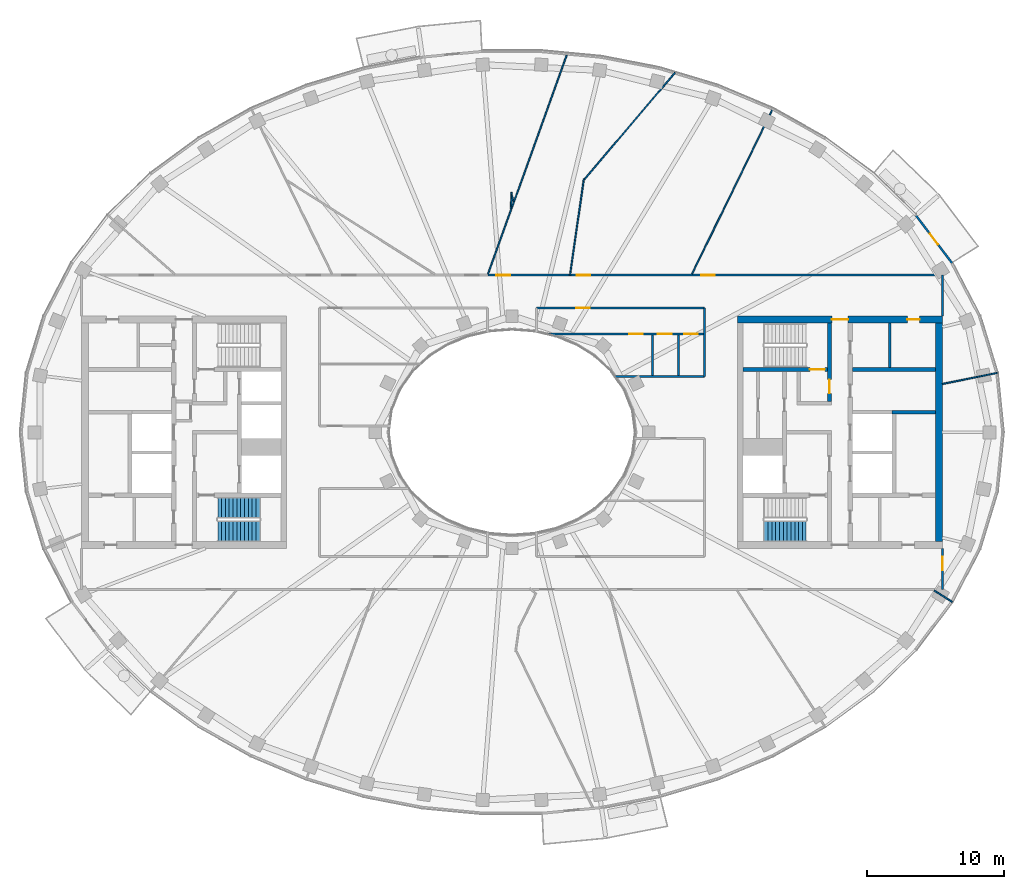
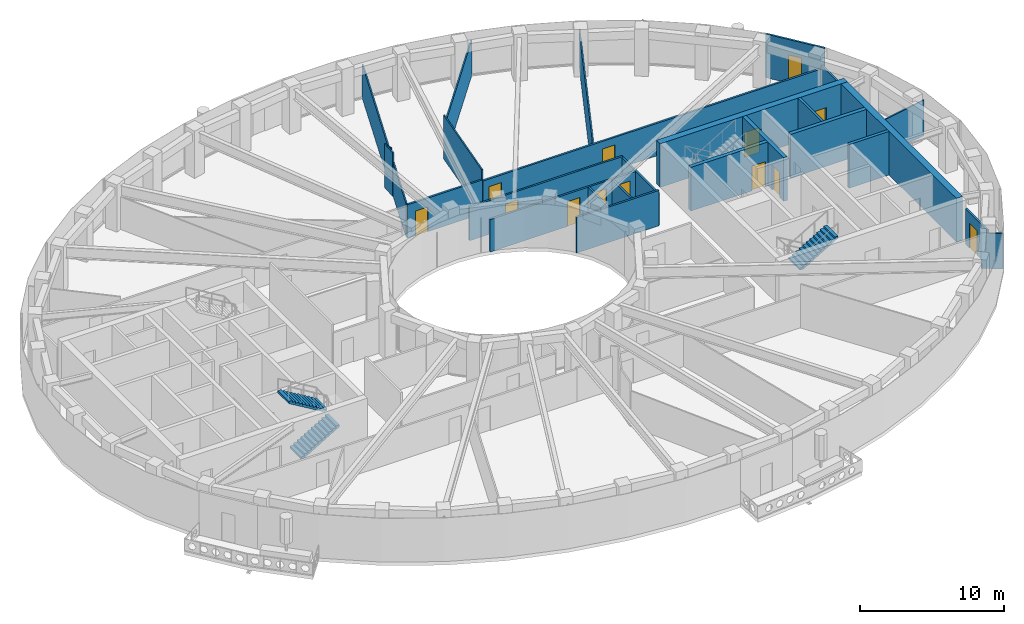
# One storey, part 6 of 16: 26 walls, 13 doors, 3 stair flights, 13 openings, 2 elements without a shape of their own.
"""IFC4 building model written with IfcOpenShell, lengths in metres."""

from ifc_helpers import new_model, si_unit, direction, frame, frame_2d, origin, place, context, subcontext, project, spatial, polyline, rectangle, outline, extrude, material, layer, layer_set, type_object, element, fill, aggregate, save


model = new_model("IFC4")

# Units and contexts
model_context = context("Model", 3, precision=1e-05, world=origin(), true_north=direction((0.0, 1.0)))
body_context = subcontext(model_context, "Body", "Model", "MODEL_VIEW")
ifc_project = project(units=[si_unit("LENGTHUNIT", "METRE"), si_unit("AREAUNIT", "SQUARE_METRE"), si_unit("VOLUMEUNIT", "CUBIC_METRE"), si_unit("PLANEANGLEUNIT", "RADIAN"), si_unit("MASSUNIT", "GRAM", prefix="KILO")], contexts=[model_context])

# Site, building, storey
site_placement = place(None, origin())
site = spatial("IfcSite", under=ifc_project, at=site_placement, CompositionType="ELEMENT")
building_placement = place(site_placement, origin())
building = spatial("IfcBuilding", under=site, at=building_placement, Name="Noorbagh Ring Tower", CompositionType="ELEMENT")
storey_placement = place(building_placement, frame((0.0, 0.0, 299.0)))
storey = spatial("IfcBuildingStorey", under=building, at=storey_placement, Name="L64", CompositionType="ELEMENT", Elevation=299.0)

# Walls
ifc_material_1 = material(Name="Gypsum board on steel studs", Category="steel")
ifc_layer_1 = layer(ifc_material_1, 0.199951171875)
ifc_layer_set_1 = layer_set([ifc_layer_1], Name="Gypsum board on steel studs")
wall_type_1 = type_object("IfcWallType", Name="CORE-PARTITION-200", PredefinedType="PARTITIONING", material=ifc_layer_set_1)
wall_1_placement = place(storey_placement, frame((27.64990234375, 4.75, 0.0), z_axis=(0.0, 0.0, 1.0), x_axis=(0.0, 1.0, 0.0)))
element("IfcWall", 1, at=wall_1_placement, inside=storey, type_object=wall_type_1, Name="Core partition E", PredefinedType="PARTITIONING", context=body_context, shape_type="SweptSolid", body=[
    extrude(rectangle(XDim=3.25, YDim=0.199951171875, at=frame_2d((1.625, 0.0))), origin(), (0.0, 0.0, 1.0), 3.699951171875),
])
ifc_material_2 = material(Name="Concrete C50/60", Category="concrete")
ifc_layer_2 = layer(ifc_material_2, 0.25)
ifc_layer_set_2 = layer_set([ifc_layer_2], Name="Concrete C50/60")
wall_type_2 = type_object("IfcWallType", Name="CORE-WALL-250-C50-60-EI120", PredefinedType="SHEAR", material=ifc_layer_set_2)
wall_2_placement = place(storey_placement, frame((27.800048828125, 1.47509765625, 0.0), z_axis=(0.0, 0.0, 1.0), x_axis=(1.0, 0.0, 0.0)))
element("IfcWall", 2, at=wall_2_placement, inside=storey, type_object=wall_type_2, Name="Core wall E", PredefinedType="SHEAR", context=body_context, shape_type="SweptSolid", body=[
    extrude(rectangle(XDim=3.199951171875, YDim=0.25, at=frame_2d((1.60009765625, 0.0))), origin(), (0.0, 0.0, 1.0), 3.699951171875),
])
ifc_material_3 = material(Name="Concrete C50/60", Category="concrete")
ifc_layer_3 = layer(ifc_material_3, 0.300048828125)
ifc_layer_set_3 = layer_set([ifc_layer_3], Name="Concrete C50/60")
wall_type_3 = type_object("IfcWallType", Name="CORE-WALL-300-C50-60-EI240", PredefinedType="SHEAR", material=ifc_layer_set_3)
wall_3_placement = place(storey_placement, frame((24.89990234375, 4.60009765625, 0.0), z_axis=(0.0, 0.0, 1.0), x_axis=(1.0, 0.0, 0.0)))
element("IfcWall", 3, at=wall_3_placement, inside=storey, type_object=wall_type_3, Name="Core wall E", PredefinedType="SHEAR", context=body_context, shape_type="SweptSolid", body=[
    extrude(rectangle(XDim=6.10009765625, YDim=0.300048828125, at=frame_2d((3.050048828125, 0.0))), origin(), (0.0, 0.0, 1.0), 3.699951171875),
])

# Wall, opening, door
wall_4_placement = place(storey_placement, frame((23.22998046875, 2.25, 0.0), z_axis=(0.0, 0.0, 1.0), x_axis=(0.0, 1.0, 0.0)))
wall_4 = element("IfcWall", 4, at=wall_4_placement, inside=storey, type_object=wall_type_3, Name="Core wall E", PredefinedType="SHEAR", context=body_context, shape_type="SweptSolid", body=[
    extrude(rectangle(XDim=5.75, YDim=0.300048828125, at=frame_2d((2.875, 0.0))), origin(), (0.0, 0.0, 1.0), 3.699951171875),
])
opening_1_placement = place(wall_4_placement, frame((0.60009765625, 0.0, 0.0)))
opening_1 = element("IfcOpeningElement", 5, at=opening_1_placement, cuts=wall_4, Name="Opening L64-CE07", PredefinedType="OPENING", context=body_context, shape_type="SweptSolid", body=[
    extrude(rectangle(XDim=1.0, YDim=2.10009765625, at=frame_2d((0.5, 1.050048828125))), frame((0.0, 0.16015625, 0.0), z_axis=(0.0, -1.0, 0.0), x_axis=(1.0, 0.0, 0.0)), (0.0, 0.0, 1.0), 0.320068359375),
])
ifc_material_4 = material(Name="Steel door leaf", Category="steel")
door_type_1 = type_object("IfcDoorType", Name="CORE-DOOR-DVEST", OperationType="SINGLE_SWING_LEFT", PredefinedType="DOOR", material=ifc_material_4)
door_1_placement = place(opening_1_placement, origin())
door_1 = element("IfcDoor", 6, at=door_1_placement, inside=storey, type_object=door_type_1, Name="Stair vestibule door L64-CE07", OperationType="SINGLE_SWING_RIGHT", OverallHeight=2.10009765625, OverallWidth=1.0, PredefinedType="DOOR", context=body_context, shape_type="SweptSolid", body=[
    extrude(rectangle(XDim=1.0, YDim=2.10009765625, at=frame_2d((0.5, 1.050048828125))), frame((0.0, 0.02490234375, 0.0), z_axis=(0.0, -1.0, 0.0), x_axis=(1.0, 0.0, 0.0)), (0.0, 0.0, 1.0), 0.050048828125),
])
fill(opening_1, door_1)

wall_5_placement = place(storey_placement, frame((16.89990234375, 4.60009765625, 0.0), z_axis=(0.0, 0.0, 1.0), x_axis=(1.0, 0.0, 0.0)))
wall_5 = element("IfcWall", 7, at=wall_5_placement, inside=storey, type_object=wall_type_3, Name="Core wall E", PredefinedType="SHEAR", context=body_context, shape_type="SweptSolid", body=[
    extrude(rectangle(XDim=6.18017578125, YDim=0.300048828125, at=frame_2d((3.090087890625, 0.0))), origin(), (0.0, 0.0, 1.0), 3.699951171875),
])
opening_2_placement = place(wall_5_placement, frame((4.89990234375, 0.0, 0.0)))
opening_2 = element("IfcOpeningElement", 8, at=opening_2_placement, cuts=wall_5, Name="Opening L64-CE04", PredefinedType="OPENING", context=body_context, shape_type="SweptSolid", body=[
    extrude(rectangle(XDim=1.10009765625, YDim=2.10009765625, at=frame_2d((0.550048828125, 1.050048828125))), frame((0.0, 0.16015625, 0.0), z_axis=(0.0, -1.0, 0.0), x_axis=(1.0, 0.0, 0.0)), (0.0, 0.0, 1.0), 0.320068359375),
])
ifc_material_5 = material(Name="Steel door leaf", Category="steel")
door_type_2 = type_object("IfcDoorType", Name="CORE-DOOR-DSTAIR", OperationType="SINGLE_SWING_LEFT", PredefinedType="DOOR", material=ifc_material_5)
door_2_placement = place(opening_2_placement, origin())
door_2 = element("IfcDoor", 9, at=door_2_placement, inside=storey, type_object=door_type_2, Name="Stair door ST3 L64-CE04", OperationType="SINGLE_SWING_LEFT", OverallHeight=2.10009765625, OverallWidth=1.10009765625, PredefinedType="DOOR", context=body_context, shape_type="SweptSolid", body=[
    extrude(rectangle(XDim=1.10009765625, YDim=2.10009765625, at=frame_2d((0.550048828125, 1.050048828125))), frame((0.0, 0.02490234375, 0.0), z_axis=(0.0, -1.0, 0.0), x_axis=(1.0, 0.0, 0.0)), (0.0, 0.0, 1.0), 0.050048828125),
])
fill(opening_2, door_2)

# Wall, openings, doors
ifc_material_6 = material(Name="Concrete C50/60", Category="concrete")
ifc_layer_4 = layer(ifc_material_6, 0.5)
ifc_layer_set_4 = layer_set([ifc_layer_4], Name="Concrete C50/60")
wall_type_4 = type_object("IfcWallType", Name="CORE-WALL-500-C50-60-EI240", PredefinedType="SHEAR", material=ifc_layer_set_4)
wall_6_placement = place(storey_placement, frame((16.5, 8.25, 0.0), z_axis=(0.0, 0.0, 1.0), x_axis=(1.0, 0.0, 0.0)))
wall_6 = element("IfcWall", 10, at=wall_6_placement, inside=storey, type_object=wall_type_4, Name="Core wall E", PredefinedType="SHEAR", context=body_context, shape_type="SweptSolid", body=[
    extrude(rectangle(XDim=15.0, YDim=0.5, at=frame_2d((7.5, 0.0))), origin(), (0.0, 0.0, 1.0), 3.699951171875),
])
opening_3_placement = place(wall_6_placement, frame((6.89990234375, 0.0, 0.0)))
opening_3 = element("IfcOpeningElement", 11, at=opening_3_placement, cuts=wall_6, Name="Opening L64-CE08", PredefinedType="OPENING", context=body_context, shape_type="SweptSolid", body=[
    extrude(rectangle(XDim=1.199951171875, YDim=2.10009765625, at=frame_2d((0.60009765625, 1.050048828125))), frame((0.0, 0.260009765625, 0.0), z_axis=(0.0, -1.0, 0.0), x_axis=(1.0, 0.0, 0.0)), (0.0, 0.0, 1.0), 0.52001953125),
])
opening_4_placement = place(wall_6_placement, frame((12.425048828125, 0.0, 0.0)))
opening_4 = element("IfcOpeningElement", 12, at=opening_4_placement, cuts=wall_6, Name="Opening L64-CE14", PredefinedType="OPENING", context=body_context, shape_type="SweptSolid", body=[
    extrude(rectangle(XDim=0.89990234375, YDim=2.10009765625, at=frame_2d((0.449951171875, 1.050048828125))), frame((0.0, 0.260009765625, 0.0), z_axis=(0.0, -1.0, 0.0), x_axis=(1.0, 0.0, 0.0)), (0.0, 0.0, 1.0), 0.52001953125),
])
ifc_material_7 = material(Name="Steel door leaf", Category="steel")
door_type_3 = type_object("IfcDoorType", Name="CORE-DOOR-DROOM", OperationType="SINGLE_SWING_LEFT", PredefinedType="DOOR", material=ifc_material_7)
door_3_placement = place(opening_4_placement, origin())
door_3 = element("IfcDoor", 13, at=door_3_placement, inside=storey, type_object=door_type_3, Name="Core room door L64-CE14", OperationType="SINGLE_SWING_LEFT", OverallHeight=2.10009765625, OverallWidth=0.89990234375, PredefinedType="DOOR", context=body_context, shape_type="SweptSolid", body=[
    extrude(rectangle(XDim=0.89990234375, YDim=2.10009765625, at=frame_2d((0.449951171875, 1.050048828125))), frame((0.0, 0.02490234375, 0.0), z_axis=(0.0, -1.0, 0.0), x_axis=(1.0, 0.0, 0.0)), (0.0, 0.0, 1.0), 0.050048828125),
])
fill(opening_4, door_3)
ifc_material_8 = material(Name="Steel door leaf", Category="steel")
door_type_4 = type_object("IfcDoorType", Name="CORE-DOOR-PORT", OperationType="DOUBLE_DOOR_DOUBLE_SWING", PredefinedType="DOOR", material=ifc_material_8)
door_4_placement = place(opening_3_placement, origin())
door_4 = element("IfcDoor", 14, at=door_4_placement, inside=storey, type_object=door_type_4, Name="Core entrance door L64-CE08", OperationType="DOUBLE_DOOR_DOUBLE_SWING", OverallHeight=2.10009765625, OverallWidth=1.199951171875, PredefinedType="DOOR", context=body_context, shape_type="SweptSolid", body=[
    extrude(rectangle(XDim=1.199951171875, YDim=2.10009765625, at=frame_2d((0.60009765625, 1.050048828125))), frame((0.0, 0.02490234375, 0.0), z_axis=(0.0, -1.0, 0.0), x_axis=(1.0, 0.0, 0.0)), (0.0, 0.0, 1.0), 0.050048828125),
])
fill(opening_3, door_4)

# Wall
wall_7_placement = place(storey_placement, frame((31.25, -8.0, 0.0), z_axis=(0.0, 0.0, 1.0), x_axis=(0.0, 1.0, 0.0)))
element("IfcWall", 15, at=wall_7_placement, inside=storey, type_object=wall_type_4, Name="Core wall E", PredefinedType="SHEAR", context=body_context, shape_type="SweptSolid", body=[
    extrude(rectangle(XDim=16.0, YDim=0.5, at=frame_2d((8.0, 0.0))), origin(), (0.0, 0.0, 1.0), 3.699951171875),
])

# Wall, opening, door
ifc_material_9 = material(Name="Gypsum board on steel studs", Category="steel")
ifc_layer_5 = layer(ifc_material_9, 0.14990234375)
ifc_layer_set_5 = layer_set([ifc_layer_5], Name="Gypsum board on steel studs")
wall_type_5 = type_object("IfcWallType", Name="CORRIDOR PARTITION 150 EI 30", PredefinedType="PARTITIONING", material=ifc_layer_set_5)
wall_8_placement = place(storey_placement, frame((-1.77392578125, 11.5, 0.0), z_axis=(0.0, 0.0, 1.0), x_axis=(1.0, 0.0, 0.0)))
wall_8 = element("IfcWall", 16, at=wall_8_placement, inside=storey, type_object=wall_type_5, Name="L64/wall/P22", PredefinedType="PARTITIONING", context=body_context, shape_type="SweptSolid", body=[
    extrude(rectangle(XDim=6.015869140625, YDim=0.14990234375, at=frame_2d((3.0078125, 0.0))), origin(), (0.0, 0.0, 1.0), 2.85009765625),
])
opening_5_placement = place(wall_8_placement, frame((0.635986328125, 0.0, 0.0)))
opening_5 = element("IfcOpeningElement", 17, at=opening_5_placement, cuts=wall_8, Name="Opening D1", PredefinedType="OPENING", context=body_context, shape_type="SweptSolid", body=[
    extrude(rectangle(XDim=1.0, YDim=2.10009765625, at=frame_2d((0.5, 1.050048828125))), frame((0.0, 0.0849609375, 0.0), z_axis=(0.0, -1.0, 0.0), x_axis=(1.0, 0.0, 0.0)), (0.0, 0.0, 1.0), 0.169921875),
])
ifc_material_10 = material(Name="Timber, painted", Category="wood")
door_type_5 = type_object("IfcDoorType", Name="DOOR 1000 X 2100 FD30", OperationType="SINGLE_SWING_LEFT", PredefinedType="DOOR", material=ifc_material_10)
door_5_placement = place(opening_5_placement, origin())
door_5 = element("IfcDoor", 18, at=door_5_placement, inside=storey, type_object=door_type_5, Name="L64-D12", OperationType="SINGLE_SWING_RIGHT", OverallHeight=2.10009765625, OverallWidth=1.0, PredefinedType="DOOR", context=body_context, shape_type="SweptSolid", body=[
    extrude(rectangle(XDim=1.0, YDim=2.10009765625, at=frame_2d((0.5, 1.050048828125))), frame((0.0, 0.02490234375, 0.0), z_axis=(0.0, -1.0, 0.0), x_axis=(1.0, 0.0, 0.0)), (0.0, 0.0, 1.0), 0.050048828125),
])
fill(opening_5, door_5)

wall_9_placement = place(storey_placement, frame((1.800048828125, 9.10009765625, 0.0), z_axis=(0.0, 0.0, 1.0), x_axis=(1.0, 0.0, 0.0)))
wall_9 = element("IfcWall", 19, at=wall_9_placement, inside=storey, type_object=wall_type_5, Name="L64/wall/P34", PredefinedType="PARTITIONING", context=body_context, shape_type="SweptSolid", body=[
    extrude(rectangle(XDim=12.300048828125, YDim=0.14990234375, at=frame_2d((6.14990234375, 0.0))), origin(), (0.0, 0.0, 1.0), 2.85009765625),
])
opening_6_placement = place(wall_9_placement, frame((2.89990234375, 0.0, 0.0)))
opening_6 = element("IfcOpeningElement", 20, at=opening_6_placement, cuts=wall_9, Name="Opening D1", PredefinedType="OPENING", context=body_context, shape_type="SweptSolid", body=[
    extrude(rectangle(XDim=1.0, YDim=2.10009765625, at=frame_2d((0.5, 1.050048828125))), frame((0.0, 0.0849609375, 0.0), z_axis=(0.0, -1.0, 0.0), x_axis=(1.0, 0.0, 0.0)), (0.0, 0.0, 1.0), 0.169921875),
])
door_6_placement = place(opening_6_placement, origin())
door_6 = element("IfcDoor", 21, at=door_6_placement, inside=storey, type_object=door_type_5, Name="L64-D01", OperationType="SINGLE_SWING_LEFT", OverallHeight=2.10009765625, OverallWidth=1.0, PredefinedType="DOOR", context=body_context, shape_type="SweptSolid", body=[
    extrude(rectangle(XDim=1.0, YDim=2.10009765625, at=frame_2d((0.5, 1.050048828125))), frame((0.0, 0.02490234375, 0.0), z_axis=(0.0, -1.0, 0.0), x_axis=(1.0, 0.0, 0.0)), (0.0, 0.0, 1.0), 0.050048828125),
])
fill(opening_6, door_6)

# Wall, openings, doors
wall_10_placement = place(storey_placement, frame((2.364013671875, 7.199951171875, 0.0), z_axis=(0.0, 0.0, 1.0), x_axis=(1.0, 0.0, 0.0)))
wall_10 = element("IfcWall", 22, at=wall_10_placement, inside=storey, type_object=wall_type_5, Name="L64/wall/P35", PredefinedType="PARTITIONING", context=body_context, shape_type="SweptSolid", body=[
    extrude(rectangle(XDim=11.660888671875, YDim=0.14990234375, at=frame_2d((5.83056640625, 0.0))), origin(), (0.0, 0.0, 1.0), 2.75),
])
opening_7_placement = place(wall_10_placement, frame((6.2041015625, 0.0, 0.0)))
opening_7 = element("IfcOpeningElement", 23, at=opening_7_placement, cuts=wall_10, Name="Opening D3", PredefinedType="OPENING", context=body_context, shape_type="SweptSolid", body=[
    extrude(rectangle(XDim=1.0, YDim=2.10009765625, at=frame_2d((0.5, 1.050048828125))), frame((0.0, 0.0849609375, 0.0), z_axis=(0.0, -1.0, 0.0), x_axis=(1.0, 0.0, 0.0)), (0.0, 0.0, 1.0), 0.169921875),
])
opening_8_placement = place(wall_10_placement, frame((8.30810546875, 0.0, 0.0)))
opening_8 = element("IfcOpeningElement", 24, at=opening_8_placement, cuts=wall_10, Name="Opening D3", PredefinedType="OPENING", context=body_context, shape_type="SweptSolid", body=[
    extrude(rectangle(XDim=1.0, YDim=2.10009765625, at=frame_2d((0.5, 1.050048828125))), frame((0.0, 0.0849609375, 0.0), z_axis=(0.0, -1.0, 0.0), x_axis=(1.0, 0.0, 0.0)), (0.0, 0.0, 1.0), 0.169921875),
])
opening_9_placement = place(wall_10_placement, frame((10.221923828125, 0.0, 0.0)))
opening_9 = element("IfcOpeningElement", 25, at=opening_9_placement, cuts=wall_10, Name="Opening D3", PredefinedType="OPENING", context=body_context, shape_type="SweptSolid", body=[
    extrude(rectangle(XDim=1.0, YDim=2.10009765625, at=frame_2d((0.5, 1.050048828125))), frame((0.0, 0.0849609375, 0.0), z_axis=(0.0, -1.0, 0.0), x_axis=(1.0, 0.0, 0.0)), (0.0, 0.0, 1.0), 0.169921875),
])
ifc_material_11 = material(Name="Timber, painted", Category="wood")
door_type_6 = type_object("IfcDoorType", Name="DOOR 1000 X 2100 WC", OperationType="SINGLE_SWING_LEFT", PredefinedType="DOOR", material=ifc_material_11)
door_7_placement = place(opening_7_placement, origin())
door_7 = element("IfcDoor", 26, at=door_7_placement, inside=storey, type_object=door_type_6, Name="L64-D02", OperationType="SINGLE_SWING_RIGHT", OverallHeight=2.10009765625, OverallWidth=1.0, PredefinedType="DOOR", context=body_context, shape_type="SweptSolid", body=[
    extrude(rectangle(XDim=1.0, YDim=2.10009765625, at=frame_2d((0.5, 1.050048828125))), frame((0.0, 0.02490234375, 0.0), z_axis=(0.0, -1.0, 0.0), x_axis=(1.0, 0.0, 0.0)), (0.0, 0.0, 1.0), 0.050048828125),
])
fill(opening_7, door_7)
door_8_placement = place(opening_8_placement, origin())
door_8 = element("IfcDoor", 27, at=door_8_placement, inside=storey, type_object=door_type_6, Name="L64-D03", OperationType="SINGLE_SWING_LEFT", OverallHeight=2.10009765625, OverallWidth=1.0, PredefinedType="DOOR", context=body_context, shape_type="SweptSolid", body=[
    extrude(rectangle(XDim=1.0, YDim=2.10009765625, at=frame_2d((0.5, 1.050048828125))), frame((0.0, 0.02490234375, 0.0), z_axis=(0.0, -1.0, 0.0), x_axis=(1.0, 0.0, 0.0)), (0.0, 0.0, 1.0), 0.050048828125),
])
fill(opening_8, door_8)
door_9_placement = place(opening_9_placement, origin())
door_9 = element("IfcDoor", 28, at=door_9_placement, inside=storey, type_object=door_type_6, Name="L64-D04", OperationType="SINGLE_SWING_RIGHT", OverallHeight=2.10009765625, OverallWidth=1.0, PredefinedType="DOOR", context=body_context, shape_type="SweptSolid", body=[
    extrude(rectangle(XDim=1.0, YDim=2.10009765625, at=frame_2d((0.5, 1.050048828125))), frame((0.0, 0.02490234375, 0.0), z_axis=(0.0, -1.0, 0.0), x_axis=(1.0, 0.0, 0.0)), (0.0, 0.0, 1.0), 0.050048828125),
])
fill(opening_9, door_9)

wall_11_placement = place(storey_placement, frame((4.261962890625, 11.5, 0.0), z_axis=(0.0, 0.0, 1.0), x_axis=(1.0, 0.0, 0.0)))
wall_11 = element("IfcWall", 29, at=wall_11_placement, inside=storey, type_object=wall_type_5, Name="L64/wall/P37", PredefinedType="PARTITIONING", context=body_context, shape_type="SweptSolid", body=[
    extrude(rectangle(XDim=27.238037109375, YDim=0.14990234375, at=frame_2d((13.619140625, 0.0))), origin(), (0.0, 0.0, 1.0), 2.75),
])
opening_10_placement = place(wall_11_placement, frame((0.47607421875, 0.0, 0.0)))
opening_10 = element("IfcOpeningElement", 30, at=opening_10_placement, cuts=wall_11, Name="Opening D1", PredefinedType="OPENING", context=body_context, shape_type="SweptSolid", body=[
    extrude(rectangle(XDim=1.0, YDim=2.10009765625, at=frame_2d((0.5, 1.050048828125))), frame((0.0, 0.0849609375, 0.0), z_axis=(0.0, -1.0, 0.0), x_axis=(1.0, 0.0, 0.0)), (0.0, 0.0, 1.0), 0.169921875),
])
opening_11_placement = place(wall_11_placement, frame((9.587890625, 0.0, 0.0)))
opening_11 = element("IfcOpeningElement", 31, at=opening_11_placement, cuts=wall_11, Name="Opening D1", PredefinedType="OPENING", context=body_context, shape_type="SweptSolid", body=[
    extrude(rectangle(XDim=1.0, YDim=2.10009765625, at=frame_2d((0.5, 1.050048828125))), frame((0.0, 0.0849609375, 0.0), z_axis=(0.0, -1.0, 0.0), x_axis=(1.0, 0.0, 0.0)), (0.0, 0.0, 1.0), 0.169921875),
])
door_10_placement = place(opening_10_placement, origin())
door_10 = element("IfcDoor", 32, at=door_10_placement, inside=storey, type_object=door_type_5, Name="L64-D14", OperationType="SINGLE_SWING_RIGHT", OverallHeight=2.10009765625, OverallWidth=1.0, PredefinedType="DOOR", context=body_context, shape_type="SweptSolid", body=[
    extrude(rectangle(XDim=1.0, YDim=2.10009765625, at=frame_2d((0.5, 1.050048828125))), frame((0.0, 0.02490234375, 0.0), z_axis=(0.0, -1.0, 0.0), x_axis=(1.0, 0.0, 0.0)), (0.0, 0.0, 1.0), 0.050048828125),
])
fill(opening_10, door_10)
door_11_placement = place(opening_11_placement, origin())
door_11 = element("IfcDoor", 33, at=door_11_placement, inside=storey, type_object=door_type_5, Name="L64-D16", OperationType="SINGLE_SWING_RIGHT", OverallHeight=2.10009765625, OverallWidth=1.0, PredefinedType="DOOR", context=body_context, shape_type="SweptSolid", body=[
    extrude(rectangle(XDim=1.0, YDim=2.10009765625, at=frame_2d((0.5, 1.050048828125))), frame((0.0, 0.02490234375, 0.0), z_axis=(0.0, -1.0, 0.0), x_axis=(1.0, 0.0, 0.0)), (0.0, 0.0, 1.0), 0.050048828125),
])
fill(opening_11, door_11)

# Walls
wall_12_placement = place(storey_placement, frame((7.4970703125, 4.094970703125, 0.0), z_axis=(0.0, 0.0, 1.0), x_axis=(1.0, 0.0, 0.0)))
element("IfcWall", 34, at=wall_12_placement, inside=storey, type_object=wall_type_5, Name="L64/wall/P42", PredefinedType="PARTITIONING", context=body_context, shape_type="SweptSolid", body=[
    extrude(rectangle(XDim=6.60302734375, YDim=0.14990234375, at=frame_2d((3.301513671875, 0.0))), origin(), (0.0, 0.0, 1.0), 3.0),
])
for number, where, z_axis, x_axis, name in (
    (35, (10.27197265625, 4.169921875, 0.0), (0.0, 0.0, 1.0), (0.0, 1.0, 0.0), "L64/wall/P44"),
    (36, (12.18603515625, 4.169921875, 0.0), (0.0, 0.0, 1.0), (0.0, 1.0, 0.0), "L64/wall/P45"),
):
    element("IfcWall", number, at=place(storey_placement, frame(where, z_axis=z_axis, x_axis=x_axis)), inside=storey, type_object=wall_type_5, Name=name, PredefinedType="PARTITIONING", context=body_context, shape_type="SweptSolid", body=[
        extrude(rectangle(XDim=2.955078125, YDim=0.14990234375, at=frame_2d((1.4775390625, 0.0))), origin(), (0.0, 0.0, 1.0), 2.75),
    ])
wall_13_placement = place(storey_placement, frame((14.10009765625, 4.094970703125, 0.0), z_axis=(0.0, 0.0, 1.0), x_axis=(0.0, 1.0, 0.0)))
element("IfcWall", 37, at=wall_13_placement, inside=storey, type_object=wall_type_5, Name="L64/wall/P48", PredefinedType="PARTITIONING", context=body_context, shape_type="SweptSolid", body=[
    extrude(rectangle(XDim=5.005126953125, YDim=0.14990234375, at=frame_2d((2.50244140625, 0.0))), origin(), (0.0, 0.0, 1.0), 2.75),
])

# Wall, opening, door
wall_14_placement = place(storey_placement, frame((31.5, -11.5, 0.0), z_axis=(0.0, 0.0, 1.0), x_axis=(0.0, 1.0, 0.0)))
wall_14 = element("IfcWall", 38, at=wall_14_placement, inside=storey, type_object=wall_type_5, Name="L64/wall/P51", PredefinedType="PARTITIONING", context=body_context, shape_type="SweptSolid", body=[
    extrude(rectangle(XDim=3.0, YDim=0.14990234375, at=frame_2d((1.5, 0.0))), origin(), (0.0, 0.0, 1.0), 3.0),
])
opening_12_placement = place(wall_14_placement, frame((1.39990234375, 0.0, 0.0)))
opening_12 = element("IfcOpeningElement", 39, at=opening_12_placement, cuts=wall_14, Name="Opening D1", PredefinedType="OPENING", context=body_context, shape_type="SweptSolid", body=[
    extrude(rectangle(XDim=1.0, YDim=2.10009765625, at=frame_2d((0.5, 1.050048828125))), frame((0.0, 0.0849609375, 0.0), z_axis=(0.0, -1.0, 0.0), x_axis=(1.0, 0.0, 0.0)), (0.0, 0.0, 1.0), 0.169921875),
])
door_12_placement = place(opening_12_placement, origin())
door_12 = element("IfcDoor", 40, at=door_12_placement, inside=storey, type_object=door_type_5, Name="L64-D18", OperationType="SINGLE_SWING_RIGHT", OverallHeight=2.10009765625, OverallWidth=1.0, PredefinedType="DOOR", context=body_context, shape_type="SweptSolid", body=[
    extrude(rectangle(XDim=1.0, YDim=2.10009765625, at=frame_2d((0.5, 1.050048828125))), frame((0.0, 0.02490234375, 0.0), z_axis=(0.0, -1.0, 0.0), x_axis=(1.0, 0.0, 0.0)), (0.0, 0.0, 1.0), 0.050048828125),
])
fill(opening_12, door_12)

# Wall
wall_15_placement = place(storey_placement, frame((31.5, 8.5, 0.0), z_axis=(0.0, 0.0, 1.0), x_axis=(0.0, 1.0, 0.0)))
element("IfcWall", 41, at=wall_15_placement, inside=storey, type_object=wall_type_5, Name="L64/wall/P53", PredefinedType="PARTITIONING", context=body_context, shape_type="SweptSolid", body=[
    extrude(rectangle(XDim=3.0, YDim=0.14990234375, at=frame_2d((1.5, 0.0))), origin(), (0.0, 0.0, 1.0), 3.0),
])

# Wall, opening, door
ifc_material_12 = material(Name="Insulated aluminium clad panel", Category="aluminium")
ifc_layer_6 = layer(ifc_material_12, 0.14990234375)
ifc_layer_set_6 = layer_set([ifc_layer_6], Name="Insulated aluminium clad panel")
wall_type_6 = type_object("IfcWallType", Name="ENV-WALL-DOOR", PredefinedType="STANDARD", material=ifc_layer_set_6)
wall_16_placement = place(storey_placement, frame((32.20751953125, 12.37353515625, 0.0), z_axis=(0.0, 0.0, 1.0), x_axis=(-0.604045763106, 0.796949632081, 0.0)))
wall_16 = element("IfcWall", 42, at=wall_16_placement, inside=storey, type_object=wall_type_6, Name="Balcony door wall chord 04", PredefinedType="STANDARD", context=body_context, shape_type="SweptSolid", body=[
    extrude(rectangle(XDim=4.42333984375, YDim=0.14990234375, at=frame_2d((2.211669921875, 0.0))), origin(), (0.0, 0.0, 1.0), 3.699951171875),
])
opening_13_placement = place(wall_16_placement, frame((1.711669921875, 0.0, 0.0)))
opening_13 = element("IfcOpeningElement", 43, at=opening_13_placement, cuts=wall_16, Name="Opening D-BL", PredefinedType="OPENING", context=body_context, shape_type="SweptSolid", body=[
    extrude(rectangle(XDim=1.0, YDim=2.39990234375, at=frame_2d((0.5, 1.199951171875))), frame((0.0, 0.0849609375, 0.0), z_axis=(0.0, -1.0, 0.0), x_axis=(1.0, 0.0, 0.0)), (0.0, 0.0, 1.0), 0.169921875),
])
ifc_material_13 = material(Name="Aluminium and glass", Category="aluminium")
door_type_7 = type_object("IfcDoorType", Name="ENV-DOOR-BALCONY", OperationType="SINGLE_SWING_LEFT", PredefinedType="DOOR", material=ifc_material_13)
door_13_placement = place(opening_13_placement, origin())
door_13 = element("IfcDoor", 44, at=door_13_placement, inside=storey, type_object=door_type_7, Name="Balcony door chord 04", OperationType="SINGLE_SWING_LEFT", OverallHeight=2.39990234375, OverallWidth=1.0, PredefinedType="DOOR", context=body_context, shape_type="SweptSolid", body=[
    extrude(rectangle(XDim=1.0, YDim=2.39990234375, at=frame_2d((0.5, 1.199951171875))), frame((0.0, 0.02490234375, 0.0), z_axis=(0.0, -1.0, 0.0), x_axis=(1.0, 0.0, 0.0)), (0.0, 0.0, 1.0), 0.050048828125),
])
fill(opening_13, door_13)

# Walls
ifc_material_14 = material(Name="Gypsum board on steel studs", Category="steel")
ifc_layer_7 = layer(ifc_material_14, 0.10009765625)
ifc_layer_set_7 = layer_set([ifc_layer_7], Name="Gypsum board on steel studs")
wall_type_7 = type_object("IfcWallType", Name="PARTITION 100 GYPSUM", PredefinedType="PARTITIONING", material=ifc_layer_set_7)
wall_17_placement = place(storey_placement, frame((-1.758056640625, 11.5791015625, 0.0), z_axis=(0.0, 0.0, 1.0), x_axis=(0.338425059236, 0.940993347097, 0.0)))
element("IfcWall", 45, at=wall_17_placement, inside=storey, type_object=wall_type_7, Name="L64/wall/P21", PredefinedType="PARTITIONING", context=body_context, shape_type="SweptSolid", body=[
    extrude(rectangle(XDim=17.14990234375, YDim=0.10009765625, at=frame_2d((8.574951171875, 0.0))), origin(), (0.0, 0.0, 1.0), 2.85009765625),
])
wall_18_placement = place(storey_placement, frame((-0.083984375, 16.35595703125, 0.0), z_axis=(0.0, 0.0, 1.0), x_axis=(0.047967320325, 0.998848905581, 0.0)))
element("IfcWall", 46, at=wall_18_placement, inside=storey, type_object=wall_type_7, Name="L64/wall/P24", PredefinedType="PARTITIONING", context=body_context, shape_type="SweptSolid", body=[
    extrude(rectangle(XDim=1.21142578125, YDim=0.10009765625, at=frame_2d((0.605712890625, 0.0))), origin(), (0.0, 0.0, 1.0), 3.699951171875),
])
wall_19_placement = place(storey_placement, frame((0.001953125, 17.283935546875, 0.0), z_axis=(0.0, 0.0, 1.0), x_axis=(0.240121592304, -0.970742819139, 0.0)))
element("IfcWall", 47, at=wall_19_placement, inside=storey, type_object=wall_type_7, Name="L64/wall/P25", PredefinedType="PARTITIONING", context=body_context, shape_type="SweptSolid", body=[
    extrude(rectangle(XDim=0.404541015625, YDim=0.10009765625, at=frame_2d((0.2021484375, 0.0))), origin(), (0.0, 0.0, 1.0), 3.699951171875),
])
wall_20_placement = place(storey_placement, frame((4.241943359375, 11.5, 0.0), z_axis=(0.0, 0.0, 1.0), x_axis=(0.1429940435, 0.98972354904, 0.0)))
element("IfcWall", 48, at=wall_20_placement, inside=storey, type_object=wall_type_7, Name="L64/wall/P36", PredefinedType="PARTITIONING", context=body_context, shape_type="SweptSolid", body=[
    extrude(rectangle(XDim=7.10595703125, YDim=0.10009765625, at=frame_2d((3.552978515625, 0.0))), origin(), (0.0, 0.0, 1.0), 3.699951171875),
])
wall_21_placement = place(storey_placement, frame((5.305908203125, 18.511962890625, 0.0), z_axis=(0.0, 0.0, 1.0), x_axis=(0.646500054355, 0.762913939917, 0.0)))
element("IfcWall", 49, at=wall_21_placement, inside=storey, type_object=wall_type_7, Name="L64/wall/P38", PredefinedType="PARTITIONING", context=body_context, shape_type="SweptSolid", body=[
    extrude(rectangle(XDim=10.238525390625, YDim=0.10009765625, at=frame_2d((5.119140625, 0.0))), origin(), (0.0, 0.0, 1.0), 3.0),
])
wall_22_placement = place(storey_placement, frame((13.1669921875, 11.5791015625, 0.0), z_axis=(0.0, 0.0, 1.0), x_axis=(0.439238726833, 0.898370380661, 0.0)))
element("IfcWall", 50, at=wall_22_placement, inside=storey, type_object=wall_type_7, Name="L64/wall/P46", PredefinedType="PARTITIONING", context=body_context, shape_type="SweptSolid", body=[
    extrude(rectangle(XDim=13.475341796875, YDim=0.10009765625, at=frame_2d((6.73779296875, 0.0))), origin(), (0.0, 0.0, 1.0), 3.0),
])
wall_23_placement = place(storey_placement, frame((30.89697265625, -11.574951171875, 0.0), z_axis=(0.0, 0.0, 1.0), x_axis=(0.844757626245, -0.535149094086, 0.0)))
element("IfcWall", 51, at=wall_23_placement, inside=storey, type_object=wall_type_7, Name="L64/wall/P50", PredefinedType="PARTITIONING", context=body_context, shape_type="SweptSolid", body=[
    extrude(rectangle(XDim=1.556640625, YDim=0.10009765625, at=frame_2d((0.7783203125, 0.0))), origin(), (0.0, 0.0, 1.0), 3.0),
])
wall_24_placement = place(storey_placement, frame((31.5, 3.5419921875, 0.0), z_axis=(0.0, 0.0, 1.0), x_axis=(0.980357474535, 0.197228857227, 0.0)))
element("IfcWall", 52, at=wall_24_placement, inside=storey, type_object=wall_type_7, Name="L64/wall/P52", PredefinedType="PARTITIONING", context=body_context, shape_type="SweptSolid", body=[
    extrude(rectangle(XDim=4.09228515625, YDim=0.10009765625, at=frame_2d((2.046142578125, 0.0))), origin(), (0.0, 0.0, 1.0), 3.0),
])

# Stair, stair flights
ifc_material_15 = material(Name="Concrete C40/50", Category="concrete")
stair_type = type_object("IfcStairType", Name="CORE-STAIR", PredefinedType="HALF_TURN_STAIR", material=ifc_material_15)
stair_1_placement = place(storey_placement, origin())
stair_1 = element("IfcStair", 53, at=stair_1_placement, inside=storey, type_object=stair_type, Name="L64 Exit stair ST2", PredefinedType="HALF_TURN_STAIR")
ifc_material_16 = material(Name="Concrete C40/50", Category="concrete")
stair_flight_type = type_object("IfcStairFlightType", Name="CORE-STAIR-FLIGHT", PredefinedType="STRAIGHT", material=ifc_material_16)
stair_flight_1_placement = place(storey_placement, frame((-21.530029296875, -7.22509765625, 0.0), z_axis=(0.0, 0.0, 1.0), x_axis=(1.0, 0.0, 0.0)))
stair_flight_1 = element("IfcStairFlight", 54, at=stair_flight_1_placement, type_object=stair_flight_type, Name="ST2 flight 1", NumberOfRisers=12, NumberOfTreads=11, PredefinedType="STRAIGHT", RiserHeight=0.166666667, TreadLength=0.28, context=body_context, shape_type="SweptSolid", body=[
    extrude(outline(polyline([(0.0, 0.0), (0.0, 0.166748046875), (0.280029296875, 0.166748046875), (0.280029296875, 0.333251953125), (0.56005859375, 0.333251953125), (0.56005859375, 0.5), (0.840087890625, 0.5), (0.840087890625, 0.666748046875), (1.1201171875, 0.666748046875), (1.1201171875, 0.833251953125), (1.39990234375, 0.833251953125), (1.39990234375, 1.0), (1.679931640625, 1.0), (1.679931640625, 1.166748046875), (1.9599609375, 1.166748046875), (1.9599609375, 1.333251953125), (2.239990234375, 1.333251953125), (2.239990234375, 1.5), (2.52001953125, 1.5), (2.52001953125, 1.666748046875), (2.800048828125, 1.666748046875), (2.800048828125, 1.833251953125), (3.080078125, 1.833251953125), (3.080078125, 2.0), (3.080078125, 1.658935546875), (0.29296875, 0.0), (0.0, 0.0)])), frame((0.0, 0.77490234375, 0.0), z_axis=(0.0, -1.0, 0.0), x_axis=(1.0, 0.0, 0.0)), (0.0, 0.0, 1.0), 1.550048828125),
])
stair_flight_2_placement = place(storey_placement, frame((-18.449951171875, -5.52490234375, 2.0), z_axis=(0.0, 0.0, 1.0), x_axis=(-1.0, 0.0, 0.0)))
stair_flight_2 = element("IfcStairFlight", 55, at=stair_flight_2_placement, type_object=stair_flight_type, Name="ST2 flight 2", NumberOfRisers=12, NumberOfTreads=11, PredefinedType="STRAIGHT", RiserHeight=0.166666667, TreadLength=0.28, context=body_context, shape_type="SweptSolid", body=[
    extrude(outline(polyline([(0.0, 0.0), (0.0, 0.166748046875), (0.280029296875, 0.166748046875), (0.280029296875, 0.333251953125), (0.56005859375, 0.333251953125), (0.56005859375, 0.5), (0.840087890625, 0.5), (0.840087890625, 0.666748046875), (1.1201171875, 0.666748046875), (1.1201171875, 0.833251953125), (1.39990234375, 0.833251953125), (1.39990234375, 1.0), (1.679931640625, 1.0), (1.679931640625, 1.166748046875), (1.9599609375, 1.166748046875), (1.9599609375, 1.333251953125), (2.239990234375, 1.333251953125), (2.239990234375, 1.5), (2.52001953125, 1.5), (2.52001953125, 1.666748046875), (2.800048828125, 1.666748046875), (2.800048828125, 1.833251953125), (3.080078125, 1.833251953125), (3.080078125, 2.0), (3.080078125, 1.658935546875), (0.29296875, 0.0), (0.0, 0.0)])), frame((0.0, 0.77490234375, 0.0), z_axis=(0.0, -1.0, 0.0), x_axis=(1.0, 0.0, 0.0)), (0.0, 0.0, 1.0), 1.550048828125),
])
aggregate(stair_1, [stair_flight_1, stair_flight_2])

# Stair, stair flight
stair_2_placement = place(storey_placement, origin())
stair_2 = element("IfcStair", 56, at=stair_2_placement, inside=storey, type_object=stair_type, Name="L64 Exit stair ST4", PredefinedType="HALF_TURN_STAIR")
stair_flight_3_placement = place(storey_placement, frame((18.449951171875, -7.22509765625, 2.0), z_axis=(0.0, 0.0, 1.0), x_axis=(1.0, 0.0, 0.0)))
stair_flight_3 = element("IfcStairFlight", 57, at=stair_flight_3_placement, type_object=stair_flight_type, Name="ST4 flight 2", NumberOfRisers=12, NumberOfTreads=11, PredefinedType="STRAIGHT", RiserHeight=0.166666667, TreadLength=0.28, context=body_context, shape_type="SweptSolid", body=[
    extrude(outline(polyline([(0.0, 0.0), (0.0, 0.166748046875), (0.280029296875, 0.166748046875), (0.280029296875, 0.333251953125), (0.56005859375, 0.333251953125), (0.56005859375, 0.5), (0.840087890625, 0.5), (0.840087890625, 0.666748046875), (1.1201171875, 0.666748046875), (1.1201171875, 0.833251953125), (1.39990234375, 0.833251953125), (1.39990234375, 1.0), (1.679931640625, 1.0), (1.679931640625, 1.166748046875), (1.9599609375, 1.166748046875), (1.9599609375, 1.333251953125), (2.239990234375, 1.333251953125), (2.239990234375, 1.5), (2.52001953125, 1.5), (2.52001953125, 1.666748046875), (2.800048828125, 1.666748046875), (2.800048828125, 1.833251953125), (3.080078125, 1.833251953125), (3.080078125, 2.0), (3.080078125, 1.658935546875), (0.29296875, 0.0), (0.0, 0.0)])), frame((0.0, 0.77490234375, 0.0), z_axis=(0.0, -1.0, 0.0), x_axis=(1.0, 0.0, 0.0)), (0.0, 0.0, 1.0), 1.550048828125),
])
aggregate(stair_2, [stair_flight_3])

save(model, "model.ifc")
